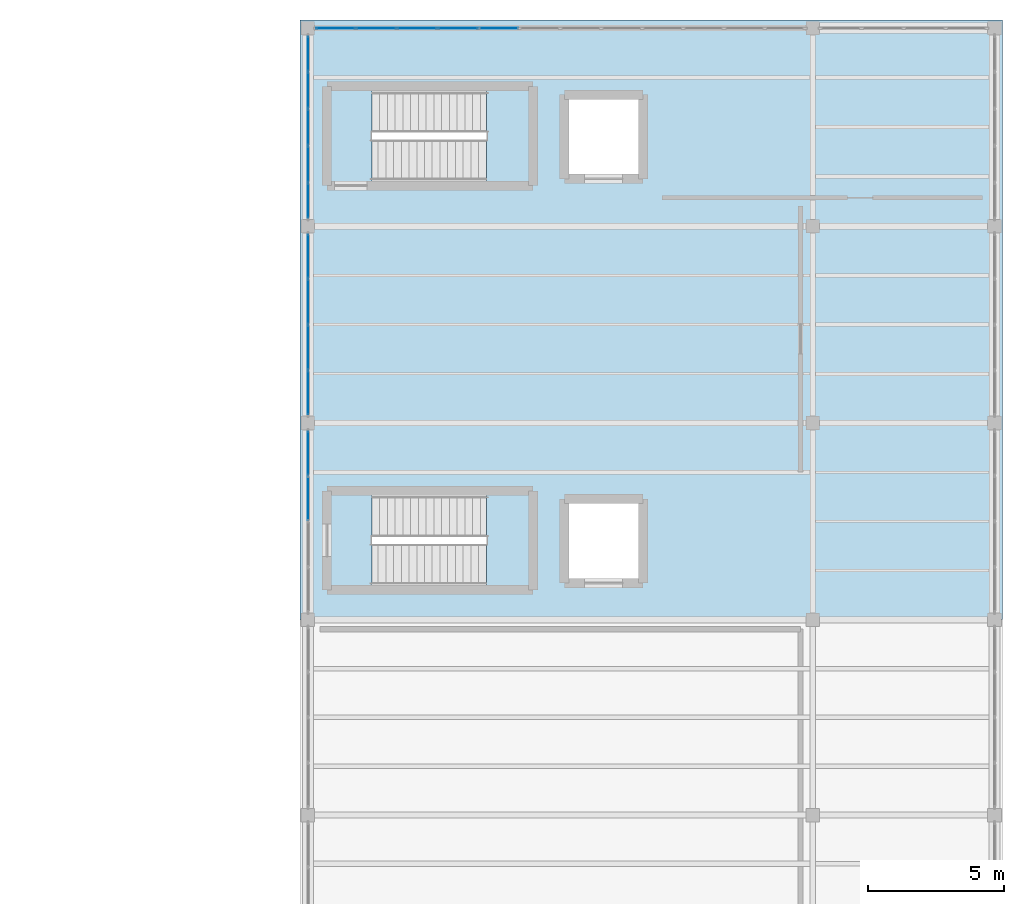
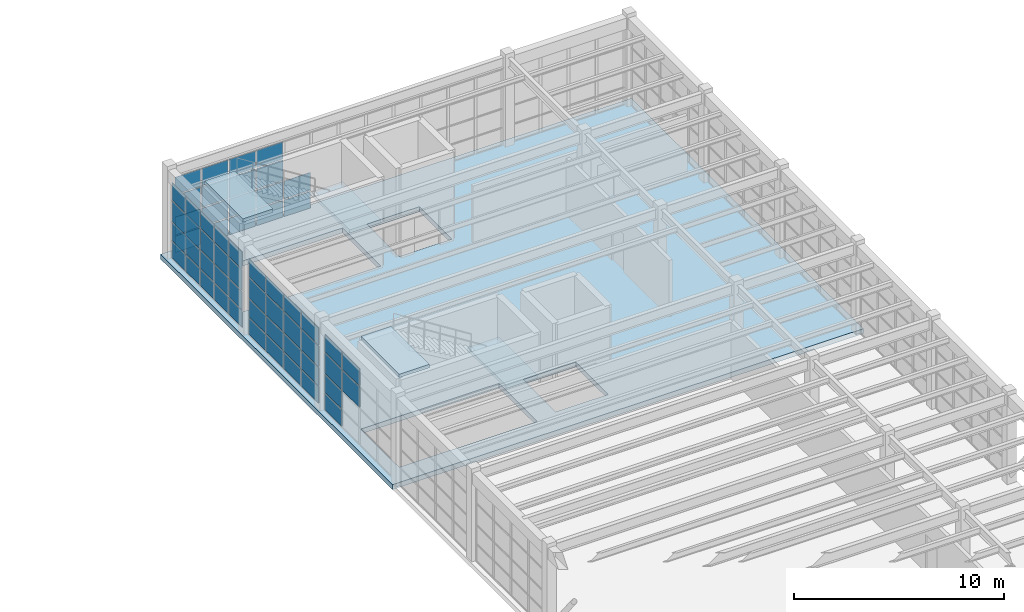
# One storey, part 82 of 103: 60 plates, 5 slabs, 6 elements without a shape of their own.
"""IFC4 building model written with IfcOpenShell, lengths in metres."""

from ifc_helpers import new_model, si_unit, direction, frame, origin, origin_2d, place, context, subcontext, project, spatial, polyline, rectangle, outline, extrude, material, layer, layer_set, type_object, element, aggregate, save


model = new_model("IFC4")

# Units and contexts
model_context = context("Model", 3, precision=1e-05, world=origin(), true_north=direction((0.0, 1.0)))
body_context = subcontext(model_context, "Body", "Model", "MODEL_VIEW")
ifc_project = project(units=[si_unit("LENGTHUNIT", "METRE"), si_unit("AREAUNIT", "SQUARE_METRE"), si_unit("VOLUMEUNIT", "CUBIC_METRE"), si_unit("PLANEANGLEUNIT", "RADIAN"), si_unit("MASSUNIT", "GRAM", prefix="KILO")], contexts=[model_context])

# Site, building, storey
site_placement = place(None, origin())
site = spatial("IfcSite", under=ifc_project, at=site_placement, CompositionType="ELEMENT")
building_placement = place(site_placement, origin())
building = spatial("IfcBuilding", under=site, at=building_placement, Name="Candilejo Ridge Gondola Terminal", CompositionType="ELEMENT")
storey_placement = place(building_placement, frame((0.0, 0.0, 9.0)))
storey = spatial("IfcBuildingStorey", under=building, at=storey_placement, Name="L02", CompositionType="ELEMENT", Elevation=9.0)

# Curtain wall, plates
ifc_material_1 = material(Name="Anodised aluminium AA 6063-T6", Category="aluminium")
ifc_layer_1 = layer(ifc_material_1, 0.169921875)
ifc_layer_set_1 = layer_set([ifc_layer_1], Name="ARC-CW-TOWER-3000-675X449")
curtain_wall_type_1 = type_object("IfcCurtainWallType", Name="ARC-CW-TOWER-3000-675X449", PredefinedType="NOTDEFINED", material=ifc_layer_set_1)
curtain_wall_1_placement = place(storey_placement, origin())
curtain_wall_1 = element("IfcCurtainWall", 1, at=curtain_wall_1_placement, inside=storey, type_object=curtain_wall_type_1, Name="Curtain wall V5 L02-186", PredefinedType="NOTDEFINED")
ifc_material_2 = material(Name="Low-E laminated double glazing 6+12A+6+1.52PVB+6 mm", Category="glass")
ifc_layer_2 = layer(ifc_material_2, 0.028076171875)
ifc_layer_set_2 = layer_set([ifc_layer_2], Name="ARC-CW-GLAZ-PANEL")
plate_type = type_object("IfcPlateType", Name="ARC-CW-GLAZ-PANEL", PredefinedType="CURTAIN_PANEL", material=ifc_layer_set_2)
plate_1_placement = place(storey_placement, frame((150.0, 103.518798828125, 2.179931640625), z_axis=(0.0, 0.0, 1.0), x_axis=(0.0, 1.0, 0.0)))
plate_1 = element("IfcPlate", 2, at=plate_1_placement, type_object=plate_type, Name="CW-67X44 panel 3.3", PredefinedType="CURTAIN_PANEL", context=body_context, shape_type="SweptSolid", body=[
    extrude(rectangle(XDim=1.62255859375, YDim=0.028076171875, at=origin_2d()), origin(), (0.0, 0.0, 1.0), 1.18994140625),
])
plate_2_placement = place(storey_placement, frame((150.0, 103.518798828125, 3.429931640625), z_axis=(0.0, 0.0, 1.0), x_axis=(0.0, 1.0, 0.0)))
plate_2 = element("IfcPlate", 3, at=plate_2_placement, type_object=plate_type, Name="CW-67X44 panel 3.4", PredefinedType="CURTAIN_PANEL", context=body_context, shape_type="SweptSolid", body=[
    extrude(rectangle(XDim=1.62255859375, YDim=0.028076171875, at=origin_2d()), origin(), (0.0, 0.0, 1.0), 1.0),
])
plate_3_placement = place(storey_placement, frame((150.0, 105.18994140625, 0.06005859375), z_axis=(0.0, 0.0, 1.0), x_axis=(0.0, 1.0, 0.0)))
plate_3 = element("IfcPlate", 4, at=plate_3_placement, type_object=plate_type, Name="CW-67X44 panel 4.1", PredefinedType="CURTAIN_PANEL", context=body_context, shape_type="SweptSolid", body=[
    extrude(rectangle(XDim=1.590087890625, YDim=0.028076171875, at=origin_2d()), origin(), (0.0, 0.0, 1.0), 0.9599609375),
])
plate_4_placement = place(storey_placement, frame((150.0, 105.18994140625, 1.080078125), z_axis=(0.0, 0.0, 1.0), x_axis=(0.0, 1.0, 0.0)))
plate_4 = element("IfcPlate", 5, at=plate_4_placement, type_object=plate_type, Name="CW-67X44 panel 4.2", PredefinedType="CURTAIN_PANEL", context=body_context, shape_type="SweptSolid", body=[
    extrude(rectangle(XDim=1.590087890625, YDim=0.028076171875, at=origin_2d()), origin(), (0.0, 0.0, 1.0), 1.0400390625),
])
plate_5_placement = place(storey_placement, frame((150.0, 105.18994140625, 2.179931640625), z_axis=(0.0, 0.0, 1.0), x_axis=(0.0, 1.0, 0.0)))
plate_5 = element("IfcPlate", 6, at=plate_5_placement, type_object=plate_type, Name="CW-67X44 panel 4.3", PredefinedType="CURTAIN_PANEL", context=body_context, shape_type="SweptSolid", body=[
    extrude(rectangle(XDim=1.590087890625, YDim=0.028076171875, at=origin_2d()), origin(), (0.0, 0.0, 1.0), 1.18994140625),
])
plate_6_placement = place(storey_placement, frame((150.0, 105.18994140625, 3.429931640625), z_axis=(0.0, 0.0, 1.0), x_axis=(0.0, 1.0, 0.0)))
plate_6 = element("IfcPlate", 7, at=plate_6_placement, type_object=plate_type, Name="CW-67X44 panel 4.4", PredefinedType="CURTAIN_PANEL", context=body_context, shape_type="SweptSolid", body=[
    extrude(rectangle(XDim=1.590087890625, YDim=0.028076171875, at=origin_2d()), origin(), (0.0, 0.0, 1.0), 1.0),
])
aggregate(curtain_wall_1, [plate_1, plate_2, plate_3, plate_4, plate_5, plate_6])

curtain_wall_2_placement = place(storey_placement, origin())
curtain_wall_2 = element("IfcCurtainWall", 8, at=curtain_wall_2_placement, inside=storey, type_object=curtain_wall_type_1, Name="Curtain wall V5 L02-188", PredefinedType="NOTDEFINED")
plate_7_placement = place(storey_placement, frame((150.0, 107.409912109375, 0.06005859375), z_axis=(0.0, 0.0, 1.0), x_axis=(0.0, 1.0, 0.0)))
plate_7 = element("IfcPlate", 9, at=plate_7_placement, type_object=plate_type, Name="CW-67X44 panel 1.1", PredefinedType="CURTAIN_PANEL", context=body_context, shape_type="SweptSolid", body=[
    extrude(rectangle(XDim=1.590087890625, YDim=0.028076171875, at=origin_2d()), origin(), (0.0, 0.0, 1.0), 0.9599609375),
])
plate_8_placement = place(storey_placement, frame((150.0, 107.409912109375, 1.080078125), z_axis=(0.0, 0.0, 1.0), x_axis=(0.0, 1.0, 0.0)))
plate_8 = element("IfcPlate", 10, at=plate_8_placement, type_object=plate_type, Name="CW-67X44 panel 1.2", PredefinedType="CURTAIN_PANEL", context=body_context, shape_type="SweptSolid", body=[
    extrude(rectangle(XDim=1.590087890625, YDim=0.028076171875, at=origin_2d()), origin(), (0.0, 0.0, 1.0), 1.0400390625),
])
plate_9_placement = place(storey_placement, frame((150.0, 107.409912109375, 2.179931640625), z_axis=(0.0, 0.0, 1.0), x_axis=(0.0, 1.0, 0.0)))
plate_9 = element("IfcPlate", 11, at=plate_9_placement, type_object=plate_type, Name="CW-67X44 panel 1.3", PredefinedType="CURTAIN_PANEL", context=body_context, shape_type="SweptSolid", body=[
    extrude(rectangle(XDim=1.590087890625, YDim=0.028076171875, at=origin_2d()), origin(), (0.0, 0.0, 1.0), 1.18994140625),
])
plate_10_placement = place(storey_placement, frame((150.0, 107.409912109375, 3.429931640625), z_axis=(0.0, 0.0, 1.0), x_axis=(0.0, 1.0, 0.0)))
plate_10 = element("IfcPlate", 12, at=plate_10_placement, type_object=plate_type, Name="CW-67X44 panel 1.4", PredefinedType="CURTAIN_PANEL", context=body_context, shape_type="SweptSolid", body=[
    extrude(rectangle(XDim=1.590087890625, YDim=0.028076171875, at=origin_2d()), origin(), (0.0, 0.0, 1.0), 1.0),
])
plate_11_placement = place(storey_placement, frame((150.0, 109.081298828125, 0.06005859375), z_axis=(0.0, 0.0, 1.0), x_axis=(0.0, 1.0, 0.0)))
plate_11 = element("IfcPlate", 13, at=plate_11_placement, type_object=plate_type, Name="CW-67X44 panel 2.1", PredefinedType="CURTAIN_PANEL", context=body_context, shape_type="SweptSolid", body=[
    extrude(rectangle(XDim=1.62255859375, YDim=0.028076171875, at=origin_2d()), origin(), (0.0, 0.0, 1.0), 0.9599609375),
])
plate_12_placement = place(storey_placement, frame((150.0, 109.081298828125, 1.080078125), z_axis=(0.0, 0.0, 1.0), x_axis=(0.0, 1.0, 0.0)))
plate_12 = element("IfcPlate", 14, at=plate_12_placement, type_object=plate_type, Name="CW-67X44 panel 2.2", PredefinedType="CURTAIN_PANEL", context=body_context, shape_type="SweptSolid", body=[
    extrude(rectangle(XDim=1.62255859375, YDim=0.028076171875, at=origin_2d()), origin(), (0.0, 0.0, 1.0), 1.0400390625),
])
plate_13_placement = place(storey_placement, frame((150.0, 109.081298828125, 2.179931640625), z_axis=(0.0, 0.0, 1.0), x_axis=(0.0, 1.0, 0.0)))
plate_13 = element("IfcPlate", 15, at=plate_13_placement, type_object=plate_type, Name="CW-67X44 panel 2.3", PredefinedType="CURTAIN_PANEL", context=body_context, shape_type="SweptSolid", body=[
    extrude(rectangle(XDim=1.62255859375, YDim=0.028076171875, at=origin_2d()), origin(), (0.0, 0.0, 1.0), 1.18994140625),
])
plate_14_placement = place(storey_placement, frame((150.0, 109.081298828125, 3.429931640625), z_axis=(0.0, 0.0, 1.0), x_axis=(0.0, 1.0, 0.0)))
plate_14 = element("IfcPlate", 16, at=plate_14_placement, type_object=plate_type, Name="CW-67X44 panel 2.4", PredefinedType="CURTAIN_PANEL", context=body_context, shape_type="SweptSolid", body=[
    extrude(rectangle(XDim=1.62255859375, YDim=0.028076171875, at=origin_2d()), origin(), (0.0, 0.0, 1.0), 1.0),
])
plate_15_placement = place(storey_placement, frame((150.0, 110.768798828125, 0.06005859375), z_axis=(0.0, 0.0, 1.0), x_axis=(0.0, 1.0, 0.0)))
plate_15 = element("IfcPlate", 17, at=plate_15_placement, type_object=plate_type, Name="CW-67X44 panel 3.1", PredefinedType="CURTAIN_PANEL", context=body_context, shape_type="SweptSolid", body=[
    extrude(rectangle(XDim=1.62255859375, YDim=0.028076171875, at=origin_2d()), origin(), (0.0, 0.0, 1.0), 0.9599609375),
])
plate_16_placement = place(storey_placement, frame((150.0, 110.768798828125, 1.080078125), z_axis=(0.0, 0.0, 1.0), x_axis=(0.0, 1.0, 0.0)))
plate_16 = element("IfcPlate", 18, at=plate_16_placement, type_object=plate_type, Name="CW-67X44 panel 3.2", PredefinedType="CURTAIN_PANEL", context=body_context, shape_type="SweptSolid", body=[
    extrude(rectangle(XDim=1.62255859375, YDim=0.028076171875, at=origin_2d()), origin(), (0.0, 0.0, 1.0), 1.0400390625),
])
plate_17_placement = place(storey_placement, frame((150.0, 110.768798828125, 2.179931640625), z_axis=(0.0, 0.0, 1.0), x_axis=(0.0, 1.0, 0.0)))
plate_17 = element("IfcPlate", 19, at=plate_17_placement, type_object=plate_type, Name="CW-67X44 panel 3.3", PredefinedType="CURTAIN_PANEL", context=body_context, shape_type="SweptSolid", body=[
    extrude(rectangle(XDim=1.62255859375, YDim=0.028076171875, at=origin_2d()), origin(), (0.0, 0.0, 1.0), 1.18994140625),
])
plate_18_placement = place(storey_placement, frame((150.0, 110.768798828125, 3.429931640625), z_axis=(0.0, 0.0, 1.0), x_axis=(0.0, 1.0, 0.0)))
plate_18 = element("IfcPlate", 20, at=plate_18_placement, type_object=plate_type, Name="CW-67X44 panel 3.4", PredefinedType="CURTAIN_PANEL", context=body_context, shape_type="SweptSolid", body=[
    extrude(rectangle(XDim=1.62255859375, YDim=0.028076171875, at=origin_2d()), origin(), (0.0, 0.0, 1.0), 1.0),
])
plate_19_placement = place(storey_placement, frame((150.0, 112.43994140625, 0.06005859375), z_axis=(0.0, 0.0, 1.0), x_axis=(0.0, 1.0, 0.0)))
plate_19 = element("IfcPlate", 21, at=plate_19_placement, type_object=plate_type, Name="CW-67X44 panel 4.1", PredefinedType="CURTAIN_PANEL", context=body_context, shape_type="SweptSolid", body=[
    extrude(rectangle(XDim=1.590087890625, YDim=0.028076171875, at=origin_2d()), origin(), (0.0, 0.0, 1.0), 0.9599609375),
])
plate_20_placement = place(storey_placement, frame((150.0, 112.43994140625, 1.080078125), z_axis=(0.0, 0.0, 1.0), x_axis=(0.0, 1.0, 0.0)))
plate_20 = element("IfcPlate", 22, at=plate_20_placement, type_object=plate_type, Name="CW-67X44 panel 4.2", PredefinedType="CURTAIN_PANEL", context=body_context, shape_type="SweptSolid", body=[
    extrude(rectangle(XDim=1.590087890625, YDim=0.028076171875, at=origin_2d()), origin(), (0.0, 0.0, 1.0), 1.0400390625),
])
plate_21_placement = place(storey_placement, frame((150.0, 112.43994140625, 2.179931640625), z_axis=(0.0, 0.0, 1.0), x_axis=(0.0, 1.0, 0.0)))
plate_21 = element("IfcPlate", 23, at=plate_21_placement, type_object=plate_type, Name="CW-67X44 panel 4.3", PredefinedType="CURTAIN_PANEL", context=body_context, shape_type="SweptSolid", body=[
    extrude(rectangle(XDim=1.590087890625, YDim=0.028076171875, at=origin_2d()), origin(), (0.0, 0.0, 1.0), 1.18994140625),
])
plate_22_placement = place(storey_placement, frame((150.0, 112.43994140625, 3.429931640625), z_axis=(0.0, 0.0, 1.0), x_axis=(0.0, 1.0, 0.0)))
plate_22 = element("IfcPlate", 24, at=plate_22_placement, type_object=plate_type, Name="CW-67X44 panel 4.4", PredefinedType="CURTAIN_PANEL", context=body_context, shape_type="SweptSolid", body=[
    extrude(rectangle(XDim=1.590087890625, YDim=0.028076171875, at=origin_2d()), origin(), (0.0, 0.0, 1.0), 1.0),
])
aggregate(curtain_wall_2, [plate_7, plate_8, plate_9, plate_10, plate_11, plate_12, plate_13, plate_14, plate_15, plate_16, plate_17, plate_18, plate_19, plate_20, plate_21, plate_22])

ifc_material_3 = material(Name="Anodised aluminium AA 6063-T6", Category="aluminium")
ifc_layer_3 = layer(ifc_material_3, 0.169921875)
ifc_layer_set_3 = layer_set([ifc_layer_3], Name="ARC-CW-TOWER-3000-680X449")
curtain_wall_type_2 = type_object("IfcCurtainWallType", Name="ARC-CW-TOWER-3000-680X449", PredefinedType="NOTDEFINED", material=ifc_layer_set_3)
curtain_wall_3_placement = place(storey_placement, origin())
curtain_wall_3 = element("IfcCurtainWall", 25, at=curtain_wall_3_placement, inside=storey, type_object=curtain_wall_type_2, Name="Curtain wall V5 L02-190", PredefinedType="NOTDEFINED")
plate_23_placement = place(storey_placement, frame((150.0, 114.496337890625, 0.06005859375), z_axis=(0.0, 0.0, 1.0), x_axis=(0.0, 1.0, 0.0)))
plate_23 = element("IfcPlate", 26, at=plate_23_placement, type_object=plate_type, Name="CW-68X44 panel 1.1", PredefinedType="CURTAIN_PANEL", context=body_context, shape_type="SweptSolid", body=[
    extrude(rectangle(XDim=1.262451171875, YDim=0.028076171875, at=origin_2d()), origin(), (0.0, 0.0, 1.0), 0.9599609375),
])
plate_24_placement = place(storey_placement, frame((150.0, 114.496337890625, 1.080078125), z_axis=(0.0, 0.0, 1.0), x_axis=(0.0, 1.0, 0.0)))
plate_24 = element("IfcPlate", 27, at=plate_24_placement, type_object=plate_type, Name="CW-68X44 panel 1.2", PredefinedType="CURTAIN_PANEL", context=body_context, shape_type="SweptSolid", body=[
    extrude(rectangle(XDim=1.262451171875, YDim=0.028076171875, at=origin_2d()), origin(), (0.0, 0.0, 1.0), 1.0400390625),
])
plate_25_placement = place(storey_placement, frame((150.0, 114.496337890625, 2.179931640625), z_axis=(0.0, 0.0, 1.0), x_axis=(0.0, 1.0, 0.0)))
plate_25 = element("IfcPlate", 28, at=plate_25_placement, type_object=plate_type, Name="CW-68X44 panel 1.3", PredefinedType="CURTAIN_PANEL", context=body_context, shape_type="SweptSolid", body=[
    extrude(rectangle(XDim=1.262451171875, YDim=0.028076171875, at=origin_2d()), origin(), (0.0, 0.0, 1.0), 1.18994140625),
])
plate_26_placement = place(storey_placement, frame((150.0, 114.496337890625, 3.429931640625), z_axis=(0.0, 0.0, 1.0), x_axis=(0.0, 1.0, 0.0)))
plate_26 = element("IfcPlate", 29, at=plate_26_placement, type_object=plate_type, Name="CW-68X44 panel 1.4", PredefinedType="CURTAIN_PANEL", context=body_context, shape_type="SweptSolid", body=[
    extrude(rectangle(XDim=1.262451171875, YDim=0.028076171875, at=origin_2d()), origin(), (0.0, 0.0, 1.0), 1.0),
])
plate_27_placement = place(storey_placement, frame((150.0, 115.840087890625, 0.06005859375), z_axis=(0.0, 0.0, 1.0), x_axis=(0.0, 1.0, 0.0)))
plate_27 = element("IfcPlate", 30, at=plate_27_placement, type_object=plate_type, Name="CW-68X44 panel 2.1", PredefinedType="CURTAIN_PANEL", context=body_context, shape_type="SweptSolid", body=[
    extrude(rectangle(XDim=1.294921875, YDim=0.028076171875, at=origin_2d()), origin(), (0.0, 0.0, 1.0), 0.9599609375),
])
plate_28_placement = place(storey_placement, frame((150.0, 115.840087890625, 1.080078125), z_axis=(0.0, 0.0, 1.0), x_axis=(0.0, 1.0, 0.0)))
plate_28 = element("IfcPlate", 31, at=plate_28_placement, type_object=plate_type, Name="CW-68X44 panel 2.2", PredefinedType="CURTAIN_PANEL", context=body_context, shape_type="SweptSolid", body=[
    extrude(rectangle(XDim=1.294921875, YDim=0.028076171875, at=origin_2d()), origin(), (0.0, 0.0, 1.0), 1.0400390625),
])
plate_29_placement = place(storey_placement, frame((150.0, 115.840087890625, 2.179931640625), z_axis=(0.0, 0.0, 1.0), x_axis=(0.0, 1.0, 0.0)))
plate_29 = element("IfcPlate", 32, at=plate_29_placement, type_object=plate_type, Name="CW-68X44 panel 2.3", PredefinedType="CURTAIN_PANEL", context=body_context, shape_type="SweptSolid", body=[
    extrude(rectangle(XDim=1.294921875, YDim=0.028076171875, at=origin_2d()), origin(), (0.0, 0.0, 1.0), 1.18994140625),
])
plate_30_placement = place(storey_placement, frame((150.0, 115.840087890625, 3.429931640625), z_axis=(0.0, 0.0, 1.0), x_axis=(0.0, 1.0, 0.0)))
plate_30 = element("IfcPlate", 33, at=plate_30_placement, type_object=plate_type, Name="CW-68X44 panel 2.4", PredefinedType="CURTAIN_PANEL", context=body_context, shape_type="SweptSolid", body=[
    extrude(rectangle(XDim=1.294921875, YDim=0.028076171875, at=origin_2d()), origin(), (0.0, 0.0, 1.0), 1.0),
])
plate_31_placement = place(storey_placement, frame((150.0, 117.199951171875, 0.06005859375), z_axis=(0.0, 0.0, 1.0), x_axis=(0.0, 1.0, 0.0)))
plate_31 = element("IfcPlate", 34, at=plate_31_placement, type_object=plate_type, Name="CW-68X44 panel 3.1", PredefinedType="CURTAIN_PANEL", context=body_context, shape_type="SweptSolid", body=[
    extrude(rectangle(XDim=1.294921875, YDim=0.028076171875, at=origin_2d()), origin(), (0.0, 0.0, 1.0), 0.9599609375),
])
plate_32_placement = place(storey_placement, frame((150.0, 117.199951171875, 1.080078125), z_axis=(0.0, 0.0, 1.0), x_axis=(0.0, 1.0, 0.0)))
plate_32 = element("IfcPlate", 35, at=plate_32_placement, type_object=plate_type, Name="CW-68X44 panel 3.2", PredefinedType="CURTAIN_PANEL", context=body_context, shape_type="SweptSolid", body=[
    extrude(rectangle(XDim=1.294921875, YDim=0.028076171875, at=origin_2d()), origin(), (0.0, 0.0, 1.0), 1.0400390625),
])
plate_33_placement = place(storey_placement, frame((150.0, 117.199951171875, 2.179931640625), z_axis=(0.0, 0.0, 1.0), x_axis=(0.0, 1.0, 0.0)))
plate_33 = element("IfcPlate", 36, at=plate_33_placement, type_object=plate_type, Name="CW-68X44 panel 3.3", PredefinedType="CURTAIN_PANEL", context=body_context, shape_type="SweptSolid", body=[
    extrude(rectangle(XDim=1.294921875, YDim=0.028076171875, at=origin_2d()), origin(), (0.0, 0.0, 1.0), 1.18994140625),
])
plate_34_placement = place(storey_placement, frame((150.0, 117.199951171875, 3.429931640625), z_axis=(0.0, 0.0, 1.0), x_axis=(0.0, 1.0, 0.0)))
plate_34 = element("IfcPlate", 37, at=plate_34_placement, type_object=plate_type, Name="CW-68X44 panel 3.4", PredefinedType="CURTAIN_PANEL", context=body_context, shape_type="SweptSolid", body=[
    extrude(rectangle(XDim=1.294921875, YDim=0.028076171875, at=origin_2d()), origin(), (0.0, 0.0, 1.0), 1.0),
])
plate_35_placement = place(storey_placement, frame((150.0, 118.56005859375, 0.06005859375), z_axis=(0.0, 0.0, 1.0), x_axis=(0.0, 1.0, 0.0)))
plate_35 = element("IfcPlate", 38, at=plate_35_placement, type_object=plate_type, Name="CW-68X44 panel 4.1", PredefinedType="CURTAIN_PANEL", context=body_context, shape_type="SweptSolid", body=[
    extrude(rectangle(XDim=1.294921875, YDim=0.028076171875, at=origin_2d()), origin(), (0.0, 0.0, 1.0), 0.9599609375),
])
plate_36_placement = place(storey_placement, frame((150.0, 118.56005859375, 1.080078125), z_axis=(0.0, 0.0, 1.0), x_axis=(0.0, 1.0, 0.0)))
plate_36 = element("IfcPlate", 39, at=plate_36_placement, type_object=plate_type, Name="CW-68X44 panel 4.2", PredefinedType="CURTAIN_PANEL", context=body_context, shape_type="SweptSolid", body=[
    extrude(rectangle(XDim=1.294921875, YDim=0.028076171875, at=origin_2d()), origin(), (0.0, 0.0, 1.0), 1.0400390625),
])
plate_37_placement = place(storey_placement, frame((150.0, 118.56005859375, 2.179931640625), z_axis=(0.0, 0.0, 1.0), x_axis=(0.0, 1.0, 0.0)))
plate_37 = element("IfcPlate", 40, at=plate_37_placement, type_object=plate_type, Name="CW-68X44 panel 4.3", PredefinedType="CURTAIN_PANEL", context=body_context, shape_type="SweptSolid", body=[
    extrude(rectangle(XDim=1.294921875, YDim=0.028076171875, at=origin_2d()), origin(), (0.0, 0.0, 1.0), 1.18994140625),
])
plate_38_placement = place(storey_placement, frame((150.0, 118.56005859375, 3.429931640625), z_axis=(0.0, 0.0, 1.0), x_axis=(0.0, 1.0, 0.0)))
plate_38 = element("IfcPlate", 41, at=plate_38_placement, type_object=plate_type, Name="CW-68X44 panel 4.4", PredefinedType="CURTAIN_PANEL", context=body_context, shape_type="SweptSolid", body=[
    extrude(rectangle(XDim=1.294921875, YDim=0.028076171875, at=origin_2d()), origin(), (0.0, 0.0, 1.0), 1.0),
])
plate_39_placement = place(storey_placement, frame((150.0, 119.90380859375, 0.06005859375), z_axis=(0.0, 0.0, 1.0), x_axis=(0.0, 1.0, 0.0)))
plate_39 = element("IfcPlate", 42, at=plate_39_placement, type_object=plate_type, Name="CW-68X44 panel 5.1", PredefinedType="CURTAIN_PANEL", context=body_context, shape_type="SweptSolid", body=[
    extrude(rectangle(XDim=1.262451171875, YDim=0.028076171875, at=origin_2d()), origin(), (0.0, 0.0, 1.0), 0.9599609375),
])
plate_40_placement = place(storey_placement, frame((150.0, 119.90380859375, 1.080078125), z_axis=(0.0, 0.0, 1.0), x_axis=(0.0, 1.0, 0.0)))
plate_40 = element("IfcPlate", 43, at=plate_40_placement, type_object=plate_type, Name="CW-68X44 panel 5.2", PredefinedType="CURTAIN_PANEL", context=body_context, shape_type="SweptSolid", body=[
    extrude(rectangle(XDim=1.262451171875, YDim=0.028076171875, at=origin_2d()), origin(), (0.0, 0.0, 1.0), 1.0400390625),
])
plate_41_placement = place(storey_placement, frame((150.0, 119.90380859375, 2.179931640625), z_axis=(0.0, 0.0, 1.0), x_axis=(0.0, 1.0, 0.0)))
plate_41 = element("IfcPlate", 44, at=plate_41_placement, type_object=plate_type, Name="CW-68X44 panel 5.3", PredefinedType="CURTAIN_PANEL", context=body_context, shape_type="SweptSolid", body=[
    extrude(rectangle(XDim=1.262451171875, YDim=0.028076171875, at=origin_2d()), origin(), (0.0, 0.0, 1.0), 1.18994140625),
])
plate_42_placement = place(storey_placement, frame((150.0, 119.90380859375, 3.429931640625), z_axis=(0.0, 0.0, 1.0), x_axis=(0.0, 1.0, 0.0)))
plate_42 = element("IfcPlate", 45, at=plate_42_placement, type_object=plate_type, Name="CW-68X44 panel 5.4", PredefinedType="CURTAIN_PANEL", context=body_context, shape_type="SweptSolid", body=[
    extrude(rectangle(XDim=1.262451171875, YDim=0.028076171875, at=origin_2d()), origin(), (0.0, 0.0, 1.0), 1.0),
])
aggregate(curtain_wall_3, [plate_23, plate_24, plate_25, plate_26, plate_27, plate_28, plate_29, plate_30, plate_31, plate_32, plate_33, plate_34, plate_35, plate_36, plate_37, plate_38, plate_39, plate_40, plate_41, plate_42])

ifc_material_4 = material(Name="Anodised aluminium AA 6063-T6", Category="aluminium")
ifc_layer_4 = layer(ifc_material_4, 0.169921875)
ifc_layer_set_4 = layer_set([ifc_layer_4], Name="ARC-CW-TOWER-3000-1810X449")
curtain_wall_type_3 = type_object("IfcCurtainWallType", Name="ARC-CW-TOWER-3000-1810X449", PredefinedType="NOTDEFINED", material=ifc_layer_set_4)
curtain_wall_4_placement = place(storey_placement, origin())
curtain_wall_4 = element("IfcCurtainWall", 46, at=curtain_wall_4_placement, inside=storey, type_object=curtain_wall_type_3, Name="Curtain wall V5 L02-193", PredefinedType="NOTDEFINED")
plate_43_placement = place(storey_placement, frame((151.0205078125, 120.85009765625, 0.06005859375), z_axis=(0.0, 0.0, 1.0), x_axis=(1.0, 0.0, 0.0)))
plate_43 = element("IfcPlate", 47, at=plate_43_placement, type_object=plate_type, Name="CW-181X44 panel 1.1", PredefinedType="CURTAIN_PANEL", context=body_context, shape_type="SweptSolid", body=[
    extrude(rectangle(XDim=1.410888671875, YDim=0.028076171875, at=origin_2d()), origin(), (0.0, 0.0, 1.0), 0.9599609375),
])
plate_44_placement = place(storey_placement, frame((151.0205078125, 120.85009765625, 1.080078125), z_axis=(0.0, 0.0, 1.0), x_axis=(1.0, 0.0, 0.0)))
plate_44 = element("IfcPlate", 48, at=plate_44_placement, type_object=plate_type, Name="CW-181X44 panel 1.2", PredefinedType="CURTAIN_PANEL", context=body_context, shape_type="SweptSolid", body=[
    extrude(rectangle(XDim=1.410888671875, YDim=0.028076171875, at=origin_2d()), origin(), (0.0, 0.0, 1.0), 1.0400390625),
])
plate_45_placement = place(storey_placement, frame((151.0205078125, 120.85009765625, 2.179931640625), z_axis=(0.0, 0.0, 1.0), x_axis=(1.0, 0.0, 0.0)))
plate_45 = element("IfcPlate", 49, at=plate_45_placement, type_object=plate_type, Name="CW-181X44 panel 1.3", PredefinedType="CURTAIN_PANEL", context=body_context, shape_type="SweptSolid", body=[
    extrude(rectangle(XDim=1.410888671875, YDim=0.028076171875, at=origin_2d()), origin(), (0.0, 0.0, 1.0), 1.18994140625),
])
plate_46_placement = place(storey_placement, frame((151.0205078125, 120.85009765625, 3.429931640625), z_axis=(0.0, 0.0, 1.0), x_axis=(1.0, 0.0, 0.0)))
plate_46 = element("IfcPlate", 50, at=plate_46_placement, type_object=plate_type, Name="CW-181X44 panel 1.4", PredefinedType="CURTAIN_PANEL", context=body_context, shape_type="SweptSolid", body=[
    extrude(rectangle(XDim=1.410888671875, YDim=0.028076171875, at=origin_2d()), origin(), (0.0, 0.0, 1.0), 1.0),
])
plate_47_placement = place(storey_placement, frame((152.512451171875, 120.85009765625, 0.06005859375), z_axis=(0.0, 0.0, 1.0), x_axis=(1.0, 0.0, 0.0)))
plate_47 = element("IfcPlate", 51, at=plate_47_placement, type_object=plate_type, Name="CW-181X44 panel 2.1", PredefinedType="CURTAIN_PANEL", context=body_context, shape_type="SweptSolid", body=[
    extrude(rectangle(XDim=1.443359375, YDim=0.028076171875, at=origin_2d()), origin(), (0.0, 0.0, 1.0), 0.9599609375),
])
plate_48_placement = place(storey_placement, frame((152.512451171875, 120.85009765625, 1.080078125), z_axis=(0.0, 0.0, 1.0), x_axis=(1.0, 0.0, 0.0)))
plate_48 = element("IfcPlate", 52, at=plate_48_placement, type_object=plate_type, Name="CW-181X44 panel 2.2", PredefinedType="CURTAIN_PANEL", context=body_context, shape_type="SweptSolid", body=[
    extrude(rectangle(XDim=1.443359375, YDim=0.028076171875, at=origin_2d()), origin(), (0.0, 0.0, 1.0), 1.0400390625),
])
plate_49_placement = place(storey_placement, frame((152.512451171875, 120.85009765625, 2.179931640625), z_axis=(0.0, 0.0, 1.0), x_axis=(1.0, 0.0, 0.0)))
plate_49 = element("IfcPlate", 53, at=plate_49_placement, type_object=plate_type, Name="CW-181X44 panel 2.3", PredefinedType="CURTAIN_PANEL", context=body_context, shape_type="SweptSolid", body=[
    extrude(rectangle(XDim=1.443359375, YDim=0.028076171875, at=origin_2d()), origin(), (0.0, 0.0, 1.0), 1.18994140625),
])
plate_50_placement = place(storey_placement, frame((152.512451171875, 120.85009765625, 3.429931640625), z_axis=(0.0, 0.0, 1.0), x_axis=(1.0, 0.0, 0.0)))
plate_50 = element("IfcPlate", 54, at=plate_50_placement, type_object=plate_type, Name="CW-181X44 panel 2.4", PredefinedType="CURTAIN_PANEL", context=body_context, shape_type="SweptSolid", body=[
    extrude(rectangle(XDim=1.443359375, YDim=0.028076171875, at=origin_2d()), origin(), (0.0, 0.0, 1.0), 1.0),
])
plate_51_placement = place(storey_placement, frame((154.020751953125, 120.85009765625, 0.06005859375), z_axis=(0.0, 0.0, 1.0), x_axis=(1.0, 0.0, 0.0)))
plate_51 = element("IfcPlate", 55, at=plate_51_placement, type_object=plate_type, Name="CW-181X44 panel 3.1", PredefinedType="CURTAIN_PANEL", context=body_context, shape_type="SweptSolid", body=[
    extrude(rectangle(XDim=1.443359375, YDim=0.028076171875, at=origin_2d()), origin(), (0.0, 0.0, 1.0), 0.9599609375),
])
plate_52_placement = place(storey_placement, frame((154.020751953125, 120.85009765625, 1.080078125), z_axis=(0.0, 0.0, 1.0), x_axis=(1.0, 0.0, 0.0)))
plate_52 = element("IfcPlate", 56, at=plate_52_placement, type_object=plate_type, Name="CW-181X44 panel 3.2", PredefinedType="CURTAIN_PANEL", context=body_context, shape_type="SweptSolid", body=[
    extrude(rectangle(XDim=1.443359375, YDim=0.028076171875, at=origin_2d()), origin(), (0.0, 0.0, 1.0), 1.0400390625),
])
plate_53_placement = place(storey_placement, frame((154.020751953125, 120.85009765625, 2.179931640625), z_axis=(0.0, 0.0, 1.0), x_axis=(1.0, 0.0, 0.0)))
plate_53 = element("IfcPlate", 57, at=plate_53_placement, type_object=plate_type, Name="CW-181X44 panel 3.3", PredefinedType="CURTAIN_PANEL", context=body_context, shape_type="SweptSolid", body=[
    extrude(rectangle(XDim=1.443359375, YDim=0.028076171875, at=origin_2d()), origin(), (0.0, 0.0, 1.0), 1.18994140625),
])
plate_54_placement = place(storey_placement, frame((154.020751953125, 120.85009765625, 3.429931640625), z_axis=(0.0, 0.0, 1.0), x_axis=(1.0, 0.0, 0.0)))
plate_54 = element("IfcPlate", 58, at=plate_54_placement, type_object=plate_type, Name="CW-181X44 panel 3.4", PredefinedType="CURTAIN_PANEL", context=body_context, shape_type="SweptSolid", body=[
    extrude(rectangle(XDim=1.443359375, YDim=0.028076171875, at=origin_2d()), origin(), (0.0, 0.0, 1.0), 1.0),
])
plate_55_placement = place(storey_placement, frame((155.529052734375, 120.85009765625, 0.06005859375), z_axis=(0.0, 0.0, 1.0), x_axis=(1.0, 0.0, 0.0)))
plate_55 = element("IfcPlate", 59, at=plate_55_placement, type_object=plate_type, Name="CW-181X44 panel 4.1", PredefinedType="CURTAIN_PANEL", context=body_context, shape_type="SweptSolid", body=[
    extrude(rectangle(XDim=1.443359375, YDim=0.028076171875, at=origin_2d()), origin(), (0.0, 0.0, 1.0), 0.9599609375),
])
plate_56_placement = place(storey_placement, frame((155.529052734375, 120.85009765625, 1.080078125), z_axis=(0.0, 0.0, 1.0), x_axis=(1.0, 0.0, 0.0)))
plate_56 = element("IfcPlate", 60, at=plate_56_placement, type_object=plate_type, Name="CW-181X44 panel 4.2", PredefinedType="CURTAIN_PANEL", context=body_context, shape_type="SweptSolid", body=[
    extrude(rectangle(XDim=1.443359375, YDim=0.028076171875, at=origin_2d()), origin(), (0.0, 0.0, 1.0), 1.0400390625),
])
plate_57_placement = place(storey_placement, frame((155.529052734375, 120.85009765625, 2.179931640625), z_axis=(0.0, 0.0, 1.0), x_axis=(1.0, 0.0, 0.0)))
plate_57 = element("IfcPlate", 61, at=plate_57_placement, type_object=plate_type, Name="CW-181X44 panel 4.3", PredefinedType="CURTAIN_PANEL", context=body_context, shape_type="SweptSolid", body=[
    extrude(rectangle(XDim=1.443359375, YDim=0.028076171875, at=origin_2d()), origin(), (0.0, 0.0, 1.0), 1.18994140625),
])
plate_58_placement = place(storey_placement, frame((155.529052734375, 120.85009765625, 3.429931640625), z_axis=(0.0, 0.0, 1.0), x_axis=(1.0, 0.0, 0.0)))
plate_58 = element("IfcPlate", 62, at=plate_58_placement, type_object=plate_type, Name="CW-181X44 panel 4.4", PredefinedType="CURTAIN_PANEL", context=body_context, shape_type="SweptSolid", body=[
    extrude(rectangle(XDim=1.443359375, YDim=0.028076171875, at=origin_2d()), origin(), (0.0, 0.0, 1.0), 1.0),
])
plate_59_placement = place(storey_placement, frame((157.03759765625, 120.85009765625, 0.06005859375), z_axis=(0.0, 0.0, 1.0), x_axis=(1.0, 0.0, 0.0)))
plate_59 = element("IfcPlate", 63, at=plate_59_placement, type_object=plate_type, Name="CW-181X44 panel 5.1", PredefinedType="CURTAIN_PANEL", context=body_context, shape_type="SweptSolid", body=[
    extrude(rectangle(XDim=1.443359375, YDim=0.028076171875, at=origin_2d()), origin(), (0.0, 0.0, 1.0), 0.9599609375),
])
plate_60_placement = place(storey_placement, frame((157.03759765625, 120.85009765625, 1.080078125), z_axis=(0.0, 0.0, 1.0), x_axis=(1.0, 0.0, 0.0)))
plate_60 = element("IfcPlate", 64, at=plate_60_placement, type_object=plate_type, Name="CW-181X44 panel 5.2", PredefinedType="CURTAIN_PANEL", context=body_context, shape_type="SweptSolid", body=[
    extrude(rectangle(XDim=1.443359375, YDim=0.028076171875, at=origin_2d()), origin(), (0.0, 0.0, 1.0), 1.0400390625),
])
aggregate(curtain_wall_4, [plate_43, plate_44, plate_45, plate_46, plate_47, plate_48, plate_49, plate_50, plate_51, plate_52, plate_53, plate_54, plate_55, plate_56, plate_57, plate_58, plate_59, plate_60])

# Slab
ifc_material_5 = material(Name="Concrete f'c 35 MPa (C35/45)", Category="concrete")
ifc_layer_5 = layer(ifc_material_5, 0.284912109375)
ifc_layer_set_5 = layer_set([ifc_layer_5], Name="STR-FLOOR-SLAB-285")
slab_type_1 = type_object("IfcSlabType", Name="STR-FLOOR-SLAB-285", PredefinedType="FLOOR", material=ifc_layer_set_5)
slab_1_placement = place(storey_placement, frame((0.0, 0.0, -0.284912109375)))
element("IfcSlab", 65, at=slab_1_placement, inside=storey, type_object=slab_type_1, Name="Slab SLB-V5-L02-N", PredefinedType="FLOOR", context=body_context, shape_type="SweptSolid", body=[
    extrude(outline(polyline([(149.699951171875, 99.050048828125), (175.60009765625, 99.050048828125), (175.60009765625, 121.14990234375), (149.699951171875, 121.14990234375), (149.699951171875, 99.050048828125)]), holes=[polyline([(150.699951171875, 100.14990234375), (158.300048828125, 100.14990234375), (158.300048828125, 103.800048828125), (150.699951171875, 103.800048828125), (150.699951171875, 100.14990234375)]), polyline([(159.449951171875, 100.39990234375), (162.35009765625, 100.39990234375), (162.35009765625, 103.5), (159.449951171875, 103.5), (159.449951171875, 100.39990234375)]), polyline([(150.699951171875, 115.050048828125), (158.300048828125, 115.050048828125), (158.300048828125, 118.699951171875), (150.699951171875, 118.699951171875), (150.699951171875, 115.050048828125)]), polyline([(159.449951171875, 115.300048828125), (162.35009765625, 115.300048828125), (162.35009765625, 118.39990234375), (159.449951171875, 118.39990234375), (159.449951171875, 115.300048828125)])]), origin(), (0.0, 0.0, 1.0), 0.284912109375),
])

# Stair, slabs
ifc_material_6 = material(Name="Concrete f'c 35 MPa (C35/45)", Category="concrete")
stair_type = type_object("IfcStairType", Name="STR-STAIR-1500-5400", PredefinedType="HALF_TURN_STAIR", material=ifc_material_6)
stair_1_placement = place(storey_placement, origin())
stair_1 = element("IfcStair", 66, at=stair_1_placement, inside=storey, type_object=stair_type, Name="Enclosed fire exit stair ST-V5A-L02", PredefinedType="HALF_TURN_STAIR")
ifc_material_7 = material(Name="Concrete f'c 35 MPa (C35/45)", Category="concrete")
ifc_layer_6 = layer(ifc_material_7, 0.199951171875)
ifc_layer_set_6 = layer_set([ifc_layer_6], Name="STR-STAIR-LANDING-200")
slab_type_2 = type_object("IfcSlabType", Name="STR-STAIR-LANDING-200", PredefinedType="LANDING", material=ifc_layer_set_6)
slab_2_placement = place(storey_placement, frame((0.0, 0.0, 2.5)))
slab_2 = element("IfcSlab", 67, at=slab_2_placement, type_object=slab_type_2, Name="Stair half-landing ST-V5A-LND-02", PredefinedType="LANDING", context=body_context, shape_type="SweptSolid", body=[
    extrude(outline(polyline([(156.574951171875, 100.14990234375), (158.300048828125, 100.14990234375), (158.300048828125, 103.800048828125), (156.574951171875, 103.800048828125), (156.574951171875, 100.14990234375)])), origin(), (0.0, 0.0, 1.0), 0.199951171875),
])
slab_3_placement = place(storey_placement, frame((0.0, 0.0, 5.199951171875)))
slab_3 = element("IfcSlab", 68, at=slab_3_placement, type_object=slab_type_2, Name="Stair floor landing ST-V5A-L02-ARR-L03", PredefinedType="LANDING", context=body_context, shape_type="SweptSolid", body=[
    extrude(outline(polyline([(150.699951171875, 100.14990234375), (152.360107421875, 100.14990234375), (152.360107421875, 103.800048828125), (150.699951171875, 103.800048828125), (150.699951171875, 100.14990234375)])), origin(), (0.0, 0.0, 1.0), 0.199951171875),
])
aggregate(stair_1, [slab_2, slab_3])

stair_2_placement = place(storey_placement, origin())
stair_2 = element("IfcStair", 69, at=stair_2_placement, inside=storey, type_object=stair_type, Name="Enclosed fire exit stair ST-V5B-L02", PredefinedType="HALF_TURN_STAIR")
slab_4_placement = place(storey_placement, frame((0.0, 0.0, 2.5)))
slab_4 = element("IfcSlab", 70, at=slab_4_placement, type_object=slab_type_2, Name="Stair half-landing ST-V5B-LND-02", PredefinedType="LANDING", context=body_context, shape_type="SweptSolid", body=[
    extrude(outline(polyline([(156.574951171875, 115.050048828125), (158.300048828125, 115.050048828125), (158.300048828125, 118.699951171875), (156.574951171875, 118.699951171875), (156.574951171875, 115.050048828125)])), origin(), (0.0, 0.0, 1.0), 0.199951171875),
])
slab_5_placement = place(storey_placement, frame((0.0, 0.0, 5.199951171875)))
slab_5 = element("IfcSlab", 71, at=slab_5_placement, type_object=slab_type_2, Name="Stair floor landing ST-V5B-L02-ARR-L03", PredefinedType="LANDING", context=body_context, shape_type="SweptSolid", body=[
    extrude(outline(polyline([(150.699951171875, 115.050048828125), (152.360107421875, 115.050048828125), (152.360107421875, 118.699951171875), (150.699951171875, 118.699951171875), (150.699951171875, 115.050048828125)])), origin(), (0.0, 0.0, 1.0), 0.199951171875),
])
aggregate(stair_2, [slab_4, slab_5])

save(model, "model.ifc")
